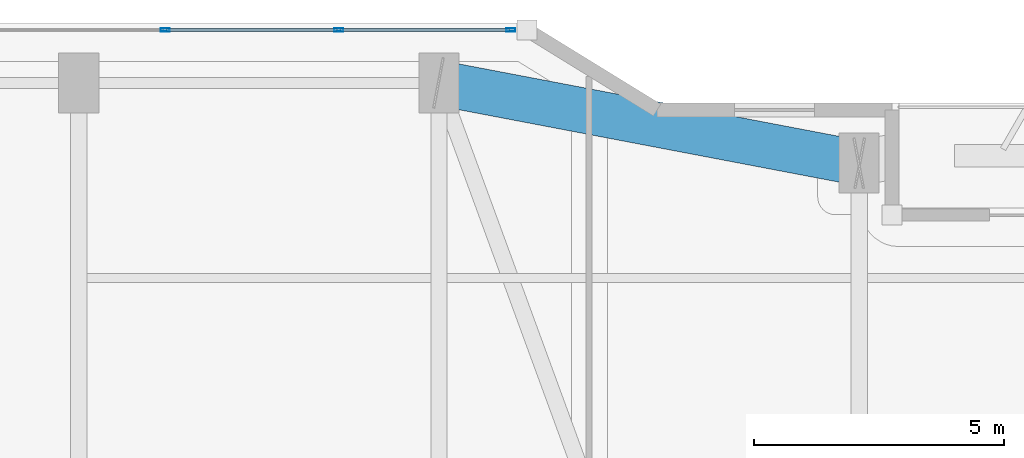
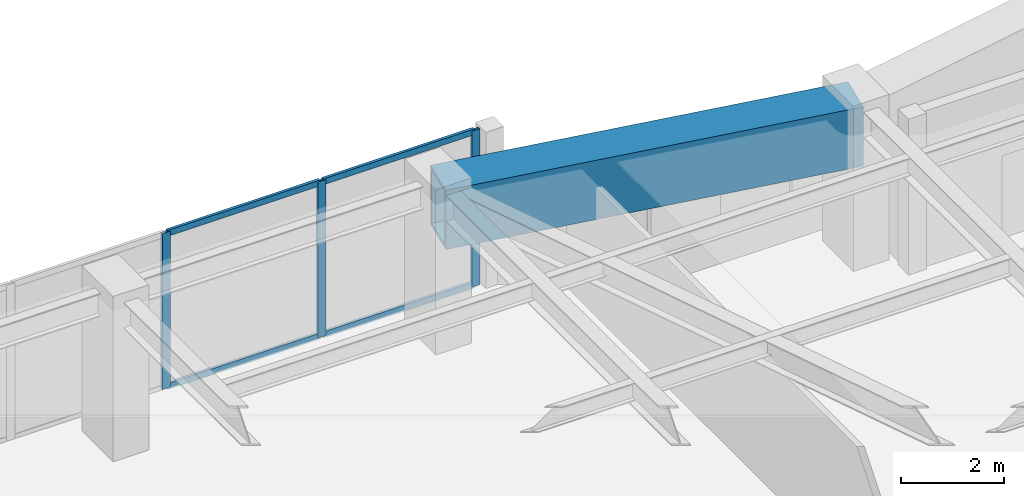
# One storey, part 15 of 26: 7 members, 1 beam, 1 element without a shape of its own.
"""IFC4 building model written with IfcOpenShell, lengths in metres."""

from ifc_helpers import new_model, si_unit, direction, frame, origin, origin_2d, place, context, subcontext, project, spatial, hollow_rectangle, extrude, material, layer, layer_set, material_profile, profile_set, type_object, element, aggregate, save


model = new_model("IFC4")

# Units and contexts
model_context = context("Model", 3, precision=1e-05, world=origin(), true_north=direction((0.0, 1.0)))
body_context = subcontext(model_context, "Body", "Model", "MODEL_VIEW")
ifc_project = project(units=[si_unit("LENGTHUNIT", "METRE"), si_unit("AREAUNIT", "SQUARE_METRE"), si_unit("VOLUMEUNIT", "CUBIC_METRE"), si_unit("PLANEANGLEUNIT", "RADIAN"), si_unit("MASSUNIT", "GRAM", prefix="KILO")], contexts=[model_context])

# Site, building, storey
site_placement = place(None, origin())
site = spatial("IfcSite", under=ifc_project, at=site_placement, CompositionType="ELEMENT")
building_placement = place(site_placement, origin())
building = spatial("IfcBuilding", under=site, at=building_placement, Name="Kiyonajd Concourse Tower", CompositionType="ELEMENT")
storey_placement = place(building_placement, frame((0.0, 0.0, 186.300048828125)))
storey = spatial("IfcBuildingStorey", under=building, at=storey_placement, Name="L47", CompositionType="ELEMENT", Elevation=186.300048828125)

# Beam
ifc_material_1 = material(Name="Steel ASTM A572 Grade 50", Category="steel")
ifc_material_profile_1 = material_profile(ifc_material_1, hollow_rectangle(XDim=0.89990234375, YDim=1.39990234375, WallThickness=0.070068359375, at=origin_2d()), Name="BOX-1400x900x70")
ifc_profile_set_1 = profile_set([ifc_material_profile_1], Name="Steel ASTM A572 Grade 50")
beam_type = type_object("IfcBeamType", Name="BM-XFER-1400", PredefinedType="BEAM", material=ifc_profile_set_1)
beam_placement = place(storey_placement, frame((48.0, 59.60009765625, 2.97998046875), z_axis=(-0.982341315253, 0.187097675953, 0.0), x_axis=(-0.187097675953, -0.982341315253, 0.0)))
element("IfcBeam", 1, at=beam_placement, inside=storey, type_object=beam_type, Name="L47 Perimeter Bundled Tube Spandrel", PredefinedType="BEAM", context=body_context, shape_type="SweptSolid", body=[
    extrude(hollow_rectangle(XDim=0.89990234375, YDim=1.39990234375, WallThickness=0.070068359375, at=origin_2d()), origin(), (0.0, 0.0, 1.0), 8.55078125),
])

# Curtain wall, members
ifc_material_2 = material(Name="Thermally Broken Anodised Aluminium", Category="aluminium")
ifc_layer = layer(ifc_material_2, 0.179931640625)
ifc_layer_set = layer_set([ifc_layer], Name="Thermally Broken Anodised Aluminium")
curtain_wall_type = type_object("IfcCurtainWallType", Name="CW-SYS-03", PredefinedType="NOTDEFINED", material=ifc_layer_set)
curtain_wall_placement = place(storey_placement, origin())
curtain_wall = element("IfcCurtainWall", 2, at=curtain_wall_placement, inside=storey, type_object=curtain_wall_type, Name="L47 Unitised Curtain Wall CW3", PredefinedType="NOTDEFINED")
ifc_material_profile_2 = material_profile(ifc_material_2, hollow_rectangle(XDim=0.06494140625, YDim=0.179931640625, WallThickness=0.00390625, at=origin_2d()), Name="MULL-65x180")
ifc_profile_set_2 = profile_set([ifc_material_profile_2], Name="Thermally Broken Anodised Aluminium")
member_type_1 = type_object("IfcMemberType", Name="MB-CW-MULL1", PredefinedType="MULLION", material=ifc_profile_set_2)
member_1_placement = place(storey_placement, frame((34.12548828125, 62.260009765625, 0.0), z_axis=(0.0, 0.0, 1.0), x_axis=(0.0, 1.0, 0.0)))
member_1 = element("IfcMember", 3, at=member_1_placement, type_object=member_type_1, Name="CW3 mullion 4", PredefinedType="MULLION", context=body_context, shape_type="SweptSolid", body=[
    extrude(hollow_rectangle(XDim=0.06494140625, YDim=0.179931640625, WallThickness=0.00390625, at=origin_2d()), origin(), (0.0, 0.0, 1.0), 3.679931640625),
])
member_2_placement = place(storey_placement, frame((37.597900390625, 62.260009765625, 0.0), z_axis=(0.0, 0.0, 1.0), x_axis=(0.0, 1.0, 0.0)))
member_2 = element("IfcMember", 4, at=member_2_placement, type_object=member_type_1, Name="CW3 mullion 5", PredefinedType="MULLION", context=body_context, shape_type="SweptSolid", body=[
    extrude(hollow_rectangle(XDim=0.06494140625, YDim=0.179931640625, WallThickness=0.00390625, at=origin_2d()), origin(), (0.0, 0.0, 1.0), 3.679931640625),
])
member_3_placement = place(storey_placement, frame((41.037841796875, 62.260009765625, 0.0), z_axis=(0.0, 0.0, 1.0), x_axis=(0.0, 1.0, 0.0)))
member_3 = element("IfcMember", 5, at=member_3_placement, type_object=member_type_1, Name="CW3 mullion 6", PredefinedType="MULLION", context=body_context, shape_type="SweptSolid", body=[
    extrude(hollow_rectangle(XDim=0.06494140625, YDim=0.179931640625, WallThickness=0.00390625, at=origin_2d()), origin(), (0.0, 0.0, 1.0), 3.679931640625),
])
ifc_material_profile_3 = material_profile(ifc_material_2, hollow_rectangle(XDim=0.06494140625, YDim=0.139892578125, WallThickness=0.00390625, at=origin_2d()), Name="TRAN-65x140")
ifc_profile_set_3 = profile_set([ifc_material_profile_3], Name="Thermally Broken Anodised Aluminium")
member_type_2 = type_object("IfcMemberType", Name="MB-CW-TRAN1", PredefinedType="USERDEFINED", material=ifc_profile_set_3)
member_4_placement = place(storey_placement, frame((34.158203125, 62.260009765625, 0.032470703125), z_axis=(1.0, 0.0, 0.0), x_axis=(0.0, 1.0, 0.0)))
member_4 = element("IfcMember", 6, at=member_4_placement, type_object=member_type_2, Name="CW3 transom 4.1", ObjectType="TRANSOM", PredefinedType="USERDEFINED", context=body_context, shape_type="SweptSolid", body=[
    extrude(hollow_rectangle(XDim=0.06494140625, YDim=0.139892578125, WallThickness=0.00390625, at=origin_2d()), origin(), (0.0, 0.0, 1.0), 3.4072265625),
])
member_5_placement = place(storey_placement, frame((34.158203125, 62.260009765625, 3.6474609375), z_axis=(1.0, 0.0, 0.0), x_axis=(0.0, 1.0, 0.0)))
member_5 = element("IfcMember", 7, at=member_5_placement, type_object=member_type_2, Name="CW3 transom 4.2", ObjectType="TRANSOM", PredefinedType="USERDEFINED", context=body_context, shape_type="SweptSolid", body=[
    extrude(hollow_rectangle(XDim=0.06494140625, YDim=0.139892578125, WallThickness=0.00390625, at=origin_2d()), origin(), (0.0, 0.0, 1.0), 3.4072265625),
])
member_6_placement = place(storey_placement, frame((37.630615234375, 62.260009765625, 0.032470703125), z_axis=(1.0, 0.0, 0.0), x_axis=(0.0, 1.0, 0.0)))
member_6 = element("IfcMember", 8, at=member_6_placement, type_object=member_type_2, Name="CW3 transom 5.1", ObjectType="TRANSOM", PredefinedType="USERDEFINED", context=body_context, shape_type="SweptSolid", body=[
    extrude(hollow_rectangle(XDim=0.06494140625, YDim=0.139892578125, WallThickness=0.00390625, at=origin_2d()), origin(), (0.0, 0.0, 1.0), 3.374755859375),
])
member_7_placement = place(storey_placement, frame((37.630615234375, 62.260009765625, 3.6474609375), z_axis=(1.0, 0.0, 0.0), x_axis=(0.0, 1.0, 0.0)))
member_7 = element("IfcMember", 9, at=member_7_placement, type_object=member_type_2, Name="CW3 transom 5.2", ObjectType="TRANSOM", PredefinedType="USERDEFINED", context=body_context, shape_type="SweptSolid", body=[
    extrude(hollow_rectangle(XDim=0.06494140625, YDim=0.139892578125, WallThickness=0.00390625, at=origin_2d()), origin(), (0.0, 0.0, 1.0), 3.374755859375),
])
aggregate(curtain_wall, [member_1, member_2, member_3, member_4, member_5, member_6, member_7])

save(model, "model.ifc")
